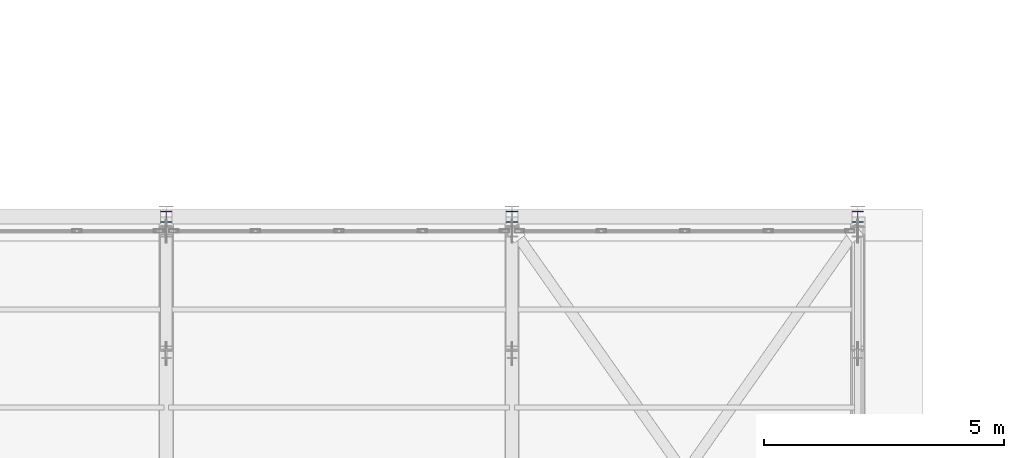
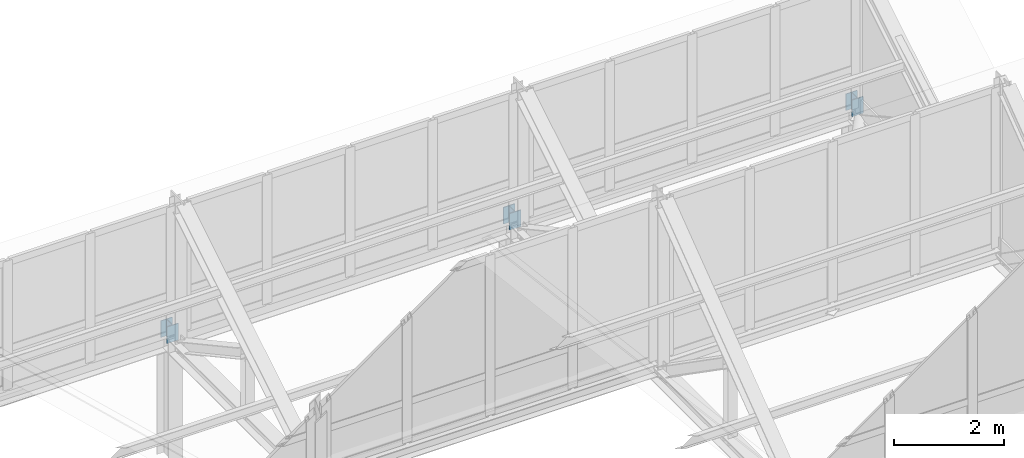
# One storey, part 96 of 157: 3 members.
"""IFC4 building model written with IfcOpenShell, lengths in metres."""

from ifc_helpers import new_model, si_unit, direction, frame, origin, origin_2d, place, context, subcontext, project, spatial, i_section, extrude, material, material_profile, profile_set, type_object, element, save


model = new_model("IFC4")

# Units and contexts
model_context = context("Model", 3, precision=1e-05, world=origin(), true_north=direction((0.0, 1.0)))
body_context = subcontext(model_context, "Body", "Model", "MODEL_VIEW")
ifc_project = project(units=[si_unit("LENGTHUNIT", "METRE"), si_unit("AREAUNIT", "SQUARE_METRE"), si_unit("VOLUMEUNIT", "CUBIC_METRE"), si_unit("PLANEANGLEUNIT", "RADIAN"), si_unit("MASSUNIT", "GRAM", prefix="KILO")], contexts=[model_context])

# Site, building, storey
site_placement = place(None, origin())
site = spatial("IfcSite", under=ifc_project, at=site_placement, CompositionType="ELEMENT")
building_placement = place(site_placement, origin())
building = spatial("IfcBuilding", under=site, at=building_placement, Name="Suanplinth Sawtooth Commons", CompositionType="ELEMENT")
storey_placement = place(building_placement, frame((0.0, 0.0, 9.0)))
storey = spatial("IfcBuildingStorey", under=building, at=storey_placement, Name="L02", CompositionType="ELEMENT", Elevation=9.0)

# Members
ifc_material = material(Name="Steel S355JR", Category="steel")
ifc_material_profile = material_profile(ifc_material, i_section(OverallWidth=0.239990234375, OverallDepth=0.239990234375, WebThickness=0.010009765625, FlangeThickness=0.01708984375, at=origin_2d()), Name="HEB 240")
ifc_profile_set = profile_set([ifc_material_profile], Name="Steel S355JR")
member_type = type_object("IfcMemberType", Name="M-05", PredefinedType="POST", material=ifc_profile_set)
for number, where, z_axis, x_axis, name in (
    (1, (100.800048828125, 86.39990234375, 2.64990234375), (0.0, 0.0, 1.0), (1.0, 0.0, 0.0), "Sawtooth Truss T6 North Eave Post"),
    (2, (108.0, 86.39990234375, 2.64990234375), (0.0, 0.0, 1.0), (1.0, 0.0, 0.0), "Sawtooth Truss T7 North Eave Post"),
    (3, (115.199951171875, 86.39990234375, 2.64990234375), (0.0, 0.0, 1.0), (1.0, 0.0, 0.0), "Sawtooth Truss T8 North Eave Post"),
):
    element("IfcMember", number, at=place(storey_placement, frame(where, z_axis=z_axis, x_axis=x_axis)), inside=storey, type_object=member_type, Name=name, PredefinedType="POST", context=body_context, shape_type="SweptSolid", body=[
        extrude(i_section(OverallWidth=0.239990234375, OverallDepth=0.239990234375, WebThickness=0.010009765625, FlangeThickness=0.01708984375, at=origin_2d()), origin(), (0.0, 0.0, 1.0), 0.3701171875),
    ])

save(model, "model.ifc")
